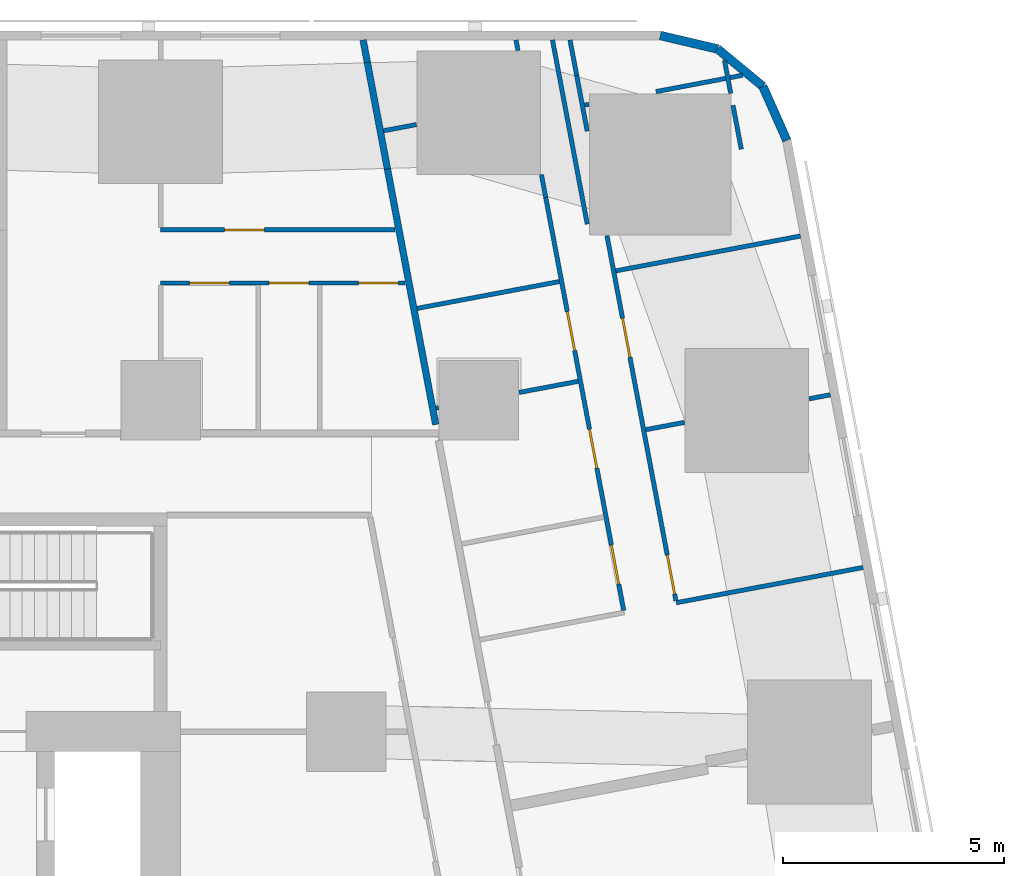
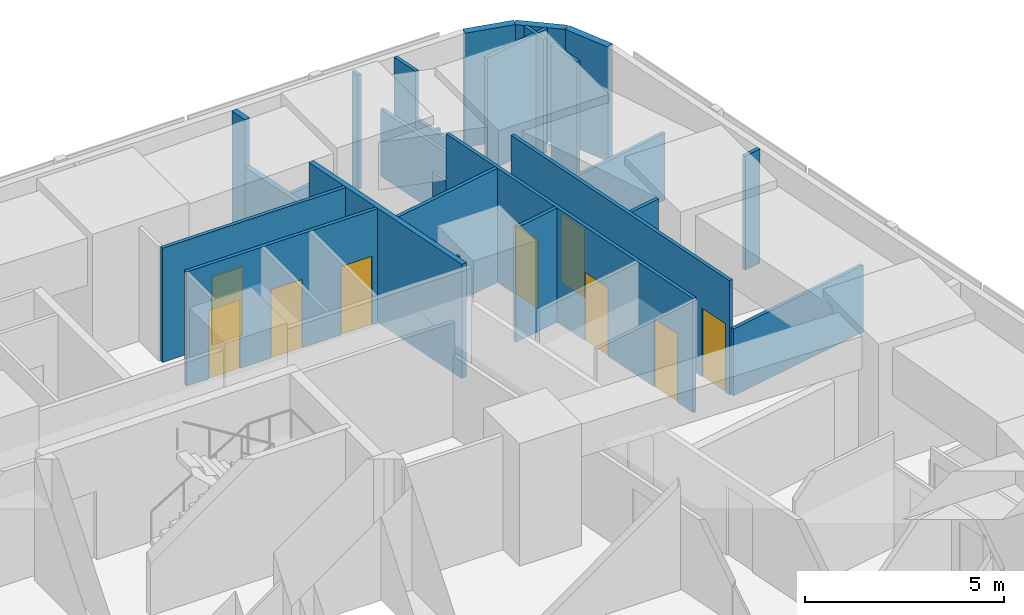
# One storey, part 13 of 18: 27 walls, 9 doors, 9 openings.
"""IFC4 building model written with IfcOpenShell, lengths in metres."""

from ifc_helpers import new_model, si_unit, direction, frame, frame_2d, origin, place, context, subcontext, project, spatial, rectangle, extrude, material, layer, layer_set, type_object, element, fill, save


model = new_model("IFC4")

# Units and contexts
model_context = context("Model", 3, precision=1e-05, world=origin(), true_north=direction((0.0, 1.0)))
body_context = subcontext(model_context, "Body", "Model", "MODEL_VIEW")
ifc_project = project(units=[si_unit("LENGTHUNIT", "METRE"), si_unit("AREAUNIT", "SQUARE_METRE"), si_unit("VOLUMEUNIT", "CUBIC_METRE"), si_unit("PLANEANGLEUNIT", "RADIAN"), si_unit("MASSUNIT", "GRAM", prefix="KILO")], contexts=[model_context])

# Site, building, storey
site_placement = place(None, origin())
site = spatial("IfcSite", under=ifc_project, at=site_placement, CompositionType="ELEMENT")
building_placement = place(site_placement, origin())
building = spatial("IfcBuilding", under=site, at=building_placement, Name="Sheger Commons Tower", CompositionType="ELEMENT")
storey_placement = place(building_placement, frame((0.0, 0.0, 31.25)))
storey = spatial("IfcBuildingStorey", under=building, at=storey_placement, Name="L07", CompositionType="ELEMENT", Elevation=31.25)

# Walls
ifc_material_1 = material(Name="Hollow concrete block masonry, skimmed both sides", Category="masonry")
ifc_layer_1 = layer(ifc_material_1, 0.14990234375)
ifc_layer_set_1 = layer_set([ifc_layer_1], Name="CORRIDOR WALL 150")
wall_type_1 = type_object("IfcWallType", Name="CORRIDOR WALL 150", PredefinedType="SOLIDWALL", material=ifc_layer_set_1)
wall_1_placement = place(storey_placement, frame((33.382080078125, 45.64990234375, 0.0), z_axis=(0.0, 0.0, 1.0), x_axis=(0.185657456326, -0.982614527122, 0.0)))
element("IfcWall", 1, at=wall_1_placement, inside=storey, type_object=wall_type_1, Name="Corridor wall L07", PredefinedType="SOLIDWALL", context=body_context, shape_type="SweptSolid", body=[
    extrude(rectangle(XDim=0.516845703125, YDim=0.14990234375, at=frame_2d((0.25830078125, 0.0))), origin(), (0.0, 0.0, 1.0), 3.5),
])
wall_2_placement = place(storey_placement, frame((33.47802734375, 45.14208984375, 0.0), z_axis=(0.0, 0.0, 1.0), x_axis=(0.185393362436, -0.982664388876, 0.0)))
element("IfcWall", 2, at=wall_2_placement, inside=storey, type_object=wall_type_1, Name="Corridor wall L07", PredefinedType="SOLIDWALL", context=body_context, shape_type="SweptSolid", body=[
    extrude(rectangle(XDim=2.45458984375, YDim=0.14990234375, at=frame_2d((1.227294921875, 0.0))), origin(), (0.0, 0.0, 1.0), 2.050048828125),
])
wall_3_placement = place(storey_placement, frame((33.93310546875, 42.72998046875, 0.0), z_axis=(0.0, 0.0, 1.0), x_axis=(0.185617897238, -0.982622000682, 0.0)))
element("IfcWall", 3, at=wall_3_placement, inside=storey, type_object=wall_type_1, Name="Corridor wall L07", PredefinedType="SOLIDWALL", context=body_context, shape_type="SweptSolid", body=[
    extrude(rectangle(XDim=5.88720703125, YDim=0.14990234375, at=frame_2d((2.943603515625, 0.0))), origin(), (0.0, 0.0, 1.0), 3.5),
])
ifc_material_2 = material(Name="Rendered concrete block masonry, dark grey", Category="masonry")
ifc_layer_2 = layer(ifc_material_2, 0.199951171875)
ifc_layer_set_2 = layer_set([ifc_layer_2], Name="FACADE WALL 200")
wall_type_2 = type_object("IfcWallType", Name="FACADE WALL 200", PredefinedType="SOLIDWALL", material=ifc_layer_set_2)
wall_4_placement = place(storey_placement, frame((42.969970703125, 43.376953125, 0.0), z_axis=(0.0, 0.0, 1.0), x_axis=(-0.406002956633, 0.913871762998, 0.0)))
element("IfcWall", 4, at=wall_4_placement, inside=storey, type_object=wall_type_2, Name="Facade wall L07", PredefinedType="SOLIDWALL", context=body_context, shape_type="SweptSolid", body=[
    extrude(rectangle(XDim=1.33740234375, YDim=0.199951171875, at=frame_2d((0.668701171875, 0.0))), origin(), (0.0, 0.0, 1.0), 3.5),
])
wall_5_placement = place(storey_placement, frame((42.427001953125, 44.59912109375, 0.0), z_axis=(0.0, 0.0, 1.0), x_axis=(-0.770091412544, 0.637933551655, 0.0)))
element("IfcWall", 5, at=wall_5_placement, inside=storey, type_object=wall_type_2, Name="Facade wall L07", PredefinedType="SOLIDWALL", context=body_context, shape_type="SweptSolid", body=[
    extrude(rectangle(XDim=1.324462890625, YDim=0.199951171875, at=frame_2d((0.662109375, 0.0))), origin(), (0.0, 0.0, 1.0), 3.5),
])
wall_6_placement = place(storey_placement, frame((41.406982421875, 45.444091796875, 0.0), z_axis=(0.0, 0.0, 1.0), x_axis=(-0.973453091607, 0.228886606077, 0.0)))
element("IfcWall", 6, at=wall_6_placement, inside=storey, type_object=wall_type_2, Name="Facade wall L07", PredefinedType="SOLIDWALL", context=body_context, shape_type="SweptSolid", body=[
    extrude(rectangle(XDim=1.33642578125, YDim=0.199951171875, at=frame_2d((0.668212890625, 0.0))), origin(), (0.0, 0.0, 1.0), 3.5),
])
ifc_material_3 = material(Name="Gypsum board on steel studs", Category="steel")
ifc_layer_3 = layer(ifc_material_3, 0.10009765625)
ifc_layer_set_3 = layer_set([ifc_layer_3], Name="PARTITION 100")
wall_type_3 = type_object("IfcWallType", Name="PARTITION 100", PredefinedType="PARTITIONING", material=ifc_layer_set_3)
wall_7_placement = place(storey_placement, frame((38.4541015625, 41.48291015625, 0.0), z_axis=(0.0, 0.0, 1.0), x_axis=(-0.185609245326, 0.982623634994, 0.0)))
element("IfcWall", 7, at=wall_7_placement, inside=storey, type_object=wall_type_3, Name="Partition L07", PredefinedType="PARTITIONING", context=body_context, shape_type="SweptSolid", body=[
    extrude(rectangle(XDim=4.24072265625, YDim=0.10009765625, at=frame_2d((2.120361328125, 0.0))), origin(), (0.0, 0.0, 1.0), 2.050048828125),
])
wall_8_placement = place(storey_placement, frame((41.55908203125, 45.18798828125, 0.0), z_axis=(0.0, 0.0, 1.0), x_axis=(0.185063078849, -0.98272664401, 0.0)))
element("IfcWall", 8, at=wall_8_placement, inside=storey, type_object=wall_type_3, Name="Partition L07", PredefinedType="PARTITIONING", context=body_context, shape_type="SweptSolid", body=[
    extrude(rectangle(XDim=0.76123046875, YDim=0.10009765625, at=frame_2d((0.380615234375, 0.0))), origin(), (0.0, 0.0, 1.0), 3.5),
])
wall_9_placement = place(storey_placement, frame((41.7509765625, 44.169921875, 0.0), z_axis=(0.0, 0.0, 1.0), x_axis=(0.186024046654, -0.98254519187, 0.0)))
element("IfcWall", 9, at=wall_9_placement, inside=storey, type_object=wall_type_3, Name="Partition L07", PredefinedType="PARTITIONING", context=body_context, shape_type="SweptSolid", body=[
    extrude(rectangle(XDim=1.010498046875, YDim=0.10009765625, at=frame_2d((0.50537109375, 0.0))), origin(), (0.0, 0.0, 1.0), 3.5),
])
wall_10_placement = place(storey_placement, frame((38.06298828125, 45.64990234375, 0.0), z_axis=(0.0, 0.0, 1.0), x_axis=(0.186109918919, -0.982528929895, 0.0)))
element("IfcWall", 10, at=wall_10_placement, inside=storey, type_object=wall_type_3, Name="Partition L07", PredefinedType="PARTITIONING", context=body_context, shape_type="SweptSolid", body=[
    extrude(rectangle(XDim=0.817138671875, YDim=0.10009765625, at=frame_2d((0.40869140625, 0.0))), origin(), (0.0, 0.0, 1.0), 3.5),
])
wall_11_placement = place(storey_placement, frame((38.215087890625, 44.846923828125, 0.0), z_axis=(0.0, 0.0, 1.0), x_axis=(0.185449486507, -0.982653798626, 0.0)))
element("IfcWall", 11, at=wall_11_placement, inside=storey, type_object=wall_type_3, Name="Partition L07", PredefinedType="PARTITIONING", context=body_context, shape_type="SweptSolid", body=[
    extrude(rectangle(XDim=1.2822265625, YDim=0.10009765625, at=frame_2d((0.64111328125, 0.0))), origin(), (0.0, 0.0, 1.0), 2.050048828125),
])

# Wall, openings, doors
wall_12_placement = place(storey_placement, frame((38.89990234375, 41.219970703125, 0.0), z_axis=(0.0, 0.0, 1.0), x_axis=(0.18556562412, -0.982631873666, 0.0)))
wall_12 = element("IfcWall", 12, at=wall_12_placement, inside=storey, type_object=wall_type_3, Name="Partition L07", PredefinedType="PARTITIONING", context=body_context, shape_type="SweptSolid", body=[
    extrude(rectangle(XDim=8.40185546875, YDim=0.10009765625, at=frame_2d((4.200927734375, 0.0))), origin(), (0.0, 0.0, 1.0), 3.5),
])
opening_1_placement = place(wall_12_placement, frame((7.35205078125, 0.0, 0.0)))
opening_1 = element("IfcOpeningElement", 13, at=opening_1_placement, cuts=wall_12, Name="Opening D2", PredefinedType="OPENING", context=body_context, shape_type="SweptSolid", body=[
    extrude(rectangle(XDim=0.89990234375, YDim=2.10009765625, at=frame_2d((0.449951171875, 1.050048828125))), frame((0.0, 0.06005859375, 0.0), z_axis=(0.0, -1.0, 0.0), x_axis=(1.0, 0.0, 0.0)), (0.0, 0.0, 1.0), 0.1201171875),
])
opening_2_placement = place(wall_12_placement, frame((1.89990234375, 0.0, 0.0)))
opening_2 = element("IfcOpeningElement", 14, at=opening_2_placement, cuts=wall_12, Name="Opening D2", PredefinedType="OPENING", context=body_context, shape_type="SweptSolid", body=[
    extrude(rectangle(XDim=0.89990234375, YDim=2.10009765625, at=frame_2d((0.449951171875, 1.050048828125))), frame((0.0, 0.06005859375, 0.0), z_axis=(0.0, -1.0, 0.0), x_axis=(1.0, 0.0, 0.0)), (0.0, 0.0, 1.0), 0.1201171875),
])
ifc_material_4 = material(Name="Timber door set", Category="wood")
door_type = type_object("IfcDoorType", Name="INTERNAL DOOR 900x2100", OperationType="NOTDEFINED", PredefinedType="DOOR", material=ifc_material_4)
door_1_placement = place(opening_1_placement, origin())
door_1 = element("IfcDoor", 15, at=door_1_placement, inside=storey, type_object=door_type, Name="Main bedroom door", OperationType="SINGLE_SWING_RIGHT", OverallHeight=2.10009765625, OverallWidth=0.89990234375, PredefinedType="DOOR", context=body_context, shape_type="SweptSolid", body=[
    extrude(rectangle(XDim=0.89990234375, YDim=2.10009765625, at=frame_2d((0.449951171875, 1.050048828125))), frame((0.0, 0.02490234375, 0.0), z_axis=(0.0, -1.0, 0.0), x_axis=(1.0, 0.0, 0.0)), (0.0, 0.0, 1.0), 0.050048828125),
])
fill(opening_1, door_1)
door_2_placement = place(opening_2_placement, origin())
door_2 = element("IfcDoor", 16, at=door_2_placement, inside=storey, type_object=door_type, Name="Bedroom 2 door", OperationType="SINGLE_SWING_LEFT", OverallHeight=2.10009765625, OverallWidth=0.89990234375, PredefinedType="DOOR", context=body_context, shape_type="SweptSolid", body=[
    extrude(rectangle(XDim=0.89990234375, YDim=2.10009765625, at=frame_2d((0.449951171875, 1.050048828125))), frame((0.0, 0.02490234375, 0.0), z_axis=(0.0, -1.0, 0.0), x_axis=(1.0, 0.0, 0.0)), (0.0, 0.0, 1.0), 0.050048828125),
])
fill(opening_2, door_2)

# Walls
wall_13_placement = place(storey_placement, frame((36.842041015625, 45.64990234375, 0.0), z_axis=(0.0, 0.0, 1.0), x_axis=(0.183986661451, -0.982928740249, 0.0)))
element("IfcWall", 17, at=wall_13_placement, inside=storey, type_object=wall_type_3, Name="Partition L07", PredefinedType="PARTITIONING", context=body_context, shape_type="SweptSolid", body=[
    extrude(rectangle(XDim=0.244140625, YDim=0.10009765625, at=frame_2d((0.1220703125, 0.0))), origin(), (0.0, 0.0, 1.0), 3.5),
])
wall_14_placement = place(storey_placement, frame((37.4169921875, 42.60205078125, 0.0), z_axis=(0.0, 0.0, 1.0), x_axis=(0.185672001976, -0.982611778721, 0.0)))
element("IfcWall", 18, at=wall_14_placement, inside=storey, type_object=wall_type_3, Name="Partition L07", PredefinedType="PARTITIONING", context=body_context, shape_type="SweptSolid", body=[
    extrude(rectangle(XDim=0.52197265625, YDim=0.10009765625, at=frame_2d((0.260986328125, 0.0))), origin(), (0.0, 0.0, 1.0), 2.050048828125),
])

# Wall, openings, doors
wall_15_placement = place(storey_placement, frame((37.513916015625, 42.089111328125, 0.0), z_axis=(0.0, 0.0, 1.0), x_axis=(0.185543450498, -0.982636060796, 0.0)))
wall_15 = element("IfcWall", 19, at=wall_15_placement, inside=storey, type_object=wall_type_3, Name="Partition L07", PredefinedType="PARTITIONING", context=body_context, shape_type="SweptSolid", body=[
    extrude(rectangle(XDim=9.513427734375, YDim=0.10009765625, at=frame_2d((4.7568359375, 0.0))), origin(), (0.0, 0.0, 1.0), 3.5),
])
opening_3_placement = place(wall_15_placement, frame((8.008056640625, 0.0, 0.0)))
opening_3 = element("IfcOpeningElement", 20, at=opening_3_placement, cuts=wall_15, Name="Opening D2", PredefinedType="OPENING", context=body_context, shape_type="SweptSolid", body=[
    extrude(rectangle(XDim=0.89990234375, YDim=2.10009765625, at=frame_2d((0.449951171875, 1.050048828125))), frame((0.0, 0.06005859375, 0.0), z_axis=(0.0, -1.0, 0.0), x_axis=(1.0, 0.0, 0.0)), (0.0, 0.0, 1.0), 0.1201171875),
])
opening_4_placement = place(wall_15_placement, frame((2.6298828125, 0.0, 0.0)))
opening_4 = element("IfcOpeningElement", 21, at=opening_4_placement, cuts=wall_15, Name="Opening D2", PredefinedType="OPENING", context=body_context, shape_type="SweptSolid", body=[
    extrude(rectangle(XDim=0.89990234375, YDim=2.10009765625, at=frame_2d((0.449951171875, 1.050048828125))), frame((0.0, 0.06005859375, 0.0), z_axis=(0.0, -1.0, 0.0), x_axis=(1.0, 0.0, 0.0)), (0.0, 0.0, 1.0), 0.1201171875),
])
opening_5_placement = place(wall_15_placement, frame((5.341064453125, 0.0, 0.0)))
opening_5 = element("IfcOpeningElement", 22, at=opening_5_placement, cuts=wall_15, Name="Opening D2", PredefinedType="OPENING", context=body_context, shape_type="SweptSolid", body=[
    extrude(rectangle(XDim=0.89990234375, YDim=2.10009765625, at=frame_2d((0.449951171875, 1.050048828125))), frame((0.0, 0.06005859375, 0.0), z_axis=(0.0, -1.0, 0.0), x_axis=(1.0, 0.0, 0.0)), (0.0, 0.0, 1.0), 0.1201171875),
])
door_3_placement = place(opening_3_placement, origin())
door_3 = element("IfcDoor", 23, at=door_3_placement, inside=storey, type_object=door_type, Name="Bathroom door", OperationType="SINGLE_SWING_LEFT", OverallHeight=2.10009765625, OverallWidth=0.89990234375, PredefinedType="DOOR", context=body_context, shape_type="SweptSolid", body=[
    extrude(rectangle(XDim=0.89990234375, YDim=2.10009765625, at=frame_2d((0.449951171875, 1.050048828125))), frame((0.0, 0.02490234375, 0.0), z_axis=(0.0, -1.0, 0.0), x_axis=(1.0, 0.0, 0.0)), (0.0, 0.0, 1.0), 0.050048828125),
])
fill(opening_3, door_3)
door_4_placement = place(opening_4_placement, origin())
door_4 = element("IfcDoor", 24, at=door_4_placement, inside=storey, type_object=door_type, Name="Laundry room door", OperationType="SINGLE_SWING_LEFT", OverallHeight=2.10009765625, OverallWidth=0.89990234375, PredefinedType="DOOR", context=body_context, shape_type="SweptSolid", body=[
    extrude(rectangle(XDim=0.89990234375, YDim=2.10009765625, at=frame_2d((0.449951171875, 1.050048828125))), frame((0.0, 0.02490234375, 0.0), z_axis=(0.0, -1.0, 0.0), x_axis=(1.0, 0.0, 0.0)), (0.0, 0.0, 1.0), 0.050048828125),
])
fill(opening_4, door_4)
door_5_placement = place(opening_5_placement, origin())
door_5 = element("IfcDoor", 25, at=door_5_placement, inside=storey, type_object=door_type, Name="Store door", OperationType="SINGLE_SWING_LEFT", OverallHeight=2.10009765625, OverallWidth=0.89990234375, PredefinedType="DOOR", context=body_context, shape_type="SweptSolid", body=[
    extrude(rectangle(XDim=0.89990234375, YDim=2.10009765625, at=frame_2d((0.449951171875, 1.050048828125))), frame((0.0, 0.02490234375, 0.0), z_axis=(0.0, -1.0, 0.0), x_axis=(1.0, 0.0, 0.0)), (0.0, 0.0, 1.0), 0.050048828125),
])
fill(opening_5, door_5)

# Walls
wall_16_placement = place(storey_placement, frame((41.968017578125, 44.85009765625, 0.0), z_axis=(0.0, 0.0, 1.0), x_axis=(-0.982543651732, -0.186032181195, 0.0)))
element("IfcWall", 26, at=wall_16_placement, inside=storey, type_object=wall_type_3, Name="Partition L07", PredefinedType="PARTITIONING", context=body_context, shape_type="SweptSolid", body=[
    extrude(rectangle(XDim=1.994873046875, YDim=0.10009765625, at=frame_2d((0.99755859375, 0.0))), origin(), (0.0, 0.0, 1.0), 3.5),
])
wall_17_placement = place(storey_placement, frame((38.491943359375, 44.193115234375, 0.0), z_axis=(0.0, 0.0, 1.0), x_axis=(-0.981954528773, -0.189117168504, 0.0)))
element("IfcWall", 27, at=wall_17_placement, inside=storey, type_object=wall_type_3, Name="Partition L07", PredefinedType="PARTITIONING", context=body_context, shape_type="SweptSolid", body=[
    extrude(rectangle(XDim=0.1005859375, YDim=0.10009765625, at=frame_2d((0.05029296875, 0.0))), origin(), (0.0, 0.0, 1.0), 2.050048828125),
])
wall_18_placement = place(storey_placement, frame((43.277099609375, 41.2119140625, 0.0), z_axis=(0.0, 0.0, 1.0), x_axis=(-0.982665405803, -0.185387972203, 0.0)))
element("IfcWall", 28, at=wall_18_placement, inside=storey, type_object=wall_type_3, Name="Partition L07", PredefinedType="PARTITIONING", context=body_context, shape_type="SweptSolid", body=[
    extrude(rectangle(XDim=4.249755859375, YDim=0.10009765625, at=frame_2d((2.125, 0.0))), origin(), (0.0, 0.0, 1.0), 2.050048828125),
])
wall_19_placement = place(storey_placement, frame((43.955078125, 37.6201171875, 0.0), z_axis=(0.0, 0.0, 1.0), x_axis=(-0.982543152073, -0.186034820164, 0.0)))
element("IfcWall", 29, at=wall_19_placement, inside=storey, type_object=wall_type_3, Name="Partition L07", PredefinedType="PARTITIONING", context=body_context, shape_type="SweptSolid", body=[
    extrude(rectangle(XDim=0.489501953125, YDim=0.10009765625, at=frame_2d((0.24462890625, 0.0))), origin(), (0.0, 0.0, 1.0), 3.5),
])
wall_20_placement = place(storey_placement, frame((40.654052734375, 36.99609375, 0.0), z_axis=(0.0, 0.0, 1.0), x_axis=(-0.982672962335, -0.185347913655, 0.0)))
element("IfcWall", 30, at=wall_20_placement, inside=storey, type_object=wall_type_3, Name="Partition L07", PredefinedType="PARTITIONING", context=body_context, shape_type="SweptSolid", body=[
    extrude(rectangle(XDim=0.890380859375, YDim=0.10009765625, at=frame_2d((0.4453125, 0.0))), origin(), (0.0, 0.0, 1.0), 3.5),
])
wall_21_placement = place(storey_placement, frame((44.693115234375, 33.712890625, 0.0), z_axis=(0.0, 0.0, 1.0), x_axis=(-0.982633535512, -0.185556823879, 0.0)))
element("IfcWall", 31, at=wall_21_placement, inside=storey, type_object=wall_type_3, Name="Partition L07", PredefinedType="PARTITIONING", context=body_context, shape_type="SweptSolid", body=[
    extrude(rectangle(XDim=4.2998046875, YDim=0.10009765625, at=frame_2d((2.14990234375, 0.0))), origin(), (0.0, 0.0, 1.0), 2.050048828125),
])
wall_22_placement = place(storey_placement, frame((34.590087890625, 43.73388671875, 0.0), z_axis=(0.0, 0.0, 1.0), x_axis=(-0.98274036184, -0.184990219229, 0.0)))
element("IfcWall", 32, at=wall_22_placement, inside=storey, type_object=wall_type_3, Name="Partition L07", PredefinedType="PARTITIONING", context=body_context, shape_type="SweptSolid", body=[
    extrude(rectangle(XDim=0.756103515625, YDim=0.10009765625, at=frame_2d((0.3779296875, 0.0))), origin(), (0.0, 0.0, 1.0), 2.050048828125),
])
wall_23_placement = place(storey_placement, frame((37.822998046875, 40.181884765625, 0.0), z_axis=(0.0, 0.0, 1.0), x_axis=(-0.982664729897, -0.18539155487, 0.0)))
element("IfcWall", 33, at=wall_23_placement, inside=storey, type_object=wall_type_3, Name="Partition L07", PredefinedType="PARTITIONING", context=body_context, shape_type="SweptSolid", body=[
    extrude(rectangle(XDim=3.273681640625, YDim=0.10009765625, at=frame_2d((1.63671875, 0.0))), origin(), (0.0, 0.0, 1.0), 3.5),
])
wall_24_placement = place(storey_placement, frame((38.25, 37.925048828125, 0.0), z_axis=(0.0, 0.0, 1.0), x_axis=(-0.982650574676, -0.185466568658, 0.0)))
element("IfcWall", 34, at=wall_24_placement, inside=storey, type_object=wall_type_3, Name="Partition L07", PredefinedType="PARTITIONING", context=body_context, shape_type="SweptSolid", body=[
    extrude(rectangle(XDim=1.36376953125, YDim=0.10009765625, at=frame_2d((0.681884765625, 0.0))), origin(), (0.0, 0.0, 1.0), 3.5),
])
wall_25_placement = place(storey_placement, frame((35.090087890625, 37.327880859375, 0.0), z_axis=(0.0, 0.0, 1.0), x_axis=(-0.982590620415, -0.185783940835, 0.0)))
element("IfcWall", 35, at=wall_25_placement, inside=storey, type_object=wall_type_3, Name="Partition L07", PredefinedType="PARTITIONING", context=body_context, shape_type="SweptSolid", body=[
    extrude(rectangle(XDim=0.05908203125, YDim=0.10009765625, at=frame_2d((0.029541015625, 0.0))), origin(), (0.0, 0.0, 1.0), 3.5),
])

# Wall, opening, door
wall_26_placement = place(storey_placement, frame((28.800048828125, 41.35009765625, 0.0), z_axis=(0.0, 0.0, 1.0), x_axis=(1.0, 0.0, 0.0)))
wall_26 = element("IfcWall", 36, at=wall_26_placement, inside=storey, type_object=wall_type_3, Name="Partition L07", PredefinedType="PARTITIONING", context=body_context, shape_type="SweptSolid", body=[
    extrude(rectangle(XDim=5.307861328125, YDim=0.10009765625, at=frame_2d((2.65380859375, 0.0))), origin(), (0.0, 0.0, 1.0), 3.5),
])
opening_6_placement = place(wall_26_placement, frame((1.449951171875, 0.0, 0.0)))
opening_6 = element("IfcOpeningElement", 37, at=opening_6_placement, cuts=wall_26, Name="Opening D2", PredefinedType="OPENING", context=body_context, shape_type="SweptSolid", body=[
    extrude(rectangle(XDim=0.89990234375, YDim=2.10009765625, at=frame_2d((0.449951171875, 1.050048828125))), frame((0.0, 0.06005859375, 0.0), z_axis=(0.0, -1.0, 0.0), x_axis=(1.0, 0.0, 0.0)), (0.0, 0.0, 1.0), 0.1201171875),
])
door_6_placement = place(opening_6_placement, origin())
door_6 = element("IfcDoor", 38, at=door_6_placement, inside=storey, type_object=door_type, Name="Main bedroom door", OperationType="SINGLE_SWING_RIGHT", OverallHeight=2.10009765625, OverallWidth=0.89990234375, PredefinedType="DOOR", context=body_context, shape_type="SweptSolid", body=[
    extrude(rectangle(XDim=0.89990234375, YDim=2.10009765625, at=frame_2d((0.449951171875, 1.050048828125))), frame((0.0, 0.02490234375, 0.0), z_axis=(0.0, -1.0, 0.0), x_axis=(1.0, 0.0, 0.0)), (0.0, 0.0, 1.0), 0.050048828125),
])
fill(opening_6, door_6)

# Wall, openings, doors
wall_27_placement = place(storey_placement, frame((28.800048828125, 40.14990234375, 0.0), z_axis=(0.0, 0.0, 1.0), x_axis=(1.0, 0.0, 0.0)))
wall_27 = element("IfcWall", 39, at=wall_27_placement, inside=storey, type_object=wall_type_3, Name="Partition L07", PredefinedType="PARTITIONING", context=body_context, shape_type="SweptSolid", body=[
    extrude(rectangle(XDim=5.534912109375, YDim=0.10009765625, at=frame_2d((2.767578125, 0.0))), origin(), (0.0, 0.0, 1.0), 3.5),
])
opening_7_placement = place(wall_27_placement, frame((0.655029296875, 0.0, 0.0)))
opening_7 = element("IfcOpeningElement", 40, at=opening_7_placement, cuts=wall_27, Name="Opening D2", PredefinedType="OPENING", context=body_context, shape_type="SweptSolid", body=[
    extrude(rectangle(XDim=0.89990234375, YDim=2.10009765625, at=frame_2d((0.449951171875, 1.050048828125))), frame((0.0, 0.06005859375, 0.0), z_axis=(0.0, -1.0, 0.0), x_axis=(1.0, 0.0, 0.0)), (0.0, 0.0, 1.0), 0.1201171875),
])
opening_8_placement = place(wall_27_placement, frame((4.48095703125, 0.0, 0.0)))
opening_8 = element("IfcOpeningElement", 41, at=opening_8_placement, cuts=wall_27, Name="Opening D2", PredefinedType="OPENING", context=body_context, shape_type="SweptSolid", body=[
    extrude(rectangle(XDim=0.89990234375, YDim=2.10009765625, at=frame_2d((0.449951171875, 1.050048828125))), frame((0.0, 0.06005859375, 0.0), z_axis=(0.0, -1.0, 0.0), x_axis=(1.0, 0.0, 0.0)), (0.0, 0.0, 1.0), 0.1201171875),
])
opening_9_placement = place(wall_27_placement, frame((2.455078125, 0.0, 0.0)))
opening_9 = element("IfcOpeningElement", 42, at=opening_9_placement, cuts=wall_27, Name="Opening D2", PredefinedType="OPENING", context=body_context, shape_type="SweptSolid", body=[
    extrude(rectangle(XDim=0.89990234375, YDim=2.10009765625, at=frame_2d((0.449951171875, 1.050048828125))), frame((0.0, 0.06005859375, 0.0), z_axis=(0.0, -1.0, 0.0), x_axis=(1.0, 0.0, 0.0)), (0.0, 0.0, 1.0), 0.1201171875),
])
door_7_placement = place(opening_7_placement, origin())
door_7 = element("IfcDoor", 43, at=door_7_placement, inside=storey, type_object=door_type, Name="Bathroom door", OperationType="SINGLE_SWING_RIGHT", OverallHeight=2.10009765625, OverallWidth=0.89990234375, PredefinedType="DOOR", context=body_context, shape_type="SweptSolid", body=[
    extrude(rectangle(XDim=0.89990234375, YDim=2.10009765625, at=frame_2d((0.449951171875, 1.050048828125))), frame((0.0, 0.02490234375, 0.0), z_axis=(0.0, -1.0, 0.0), x_axis=(1.0, 0.0, 0.0)), (0.0, 0.0, 1.0), 0.050048828125),
])
fill(opening_7, door_7)
door_8_placement = place(opening_8_placement, origin())
door_8 = element("IfcDoor", 44, at=door_8_placement, inside=storey, type_object=door_type, Name="Laundry room door", OperationType="SINGLE_SWING_LEFT", OverallHeight=2.10009765625, OverallWidth=0.89990234375, PredefinedType="DOOR", context=body_context, shape_type="SweptSolid", body=[
    extrude(rectangle(XDim=0.89990234375, YDim=2.10009765625, at=frame_2d((0.449951171875, 1.050048828125))), frame((0.0, 0.02490234375, 0.0), z_axis=(0.0, -1.0, 0.0), x_axis=(1.0, 0.0, 0.0)), (0.0, 0.0, 1.0), 0.050048828125),
])
fill(opening_8, door_8)
door_9_placement = place(opening_9_placement, origin())
door_9 = element("IfcDoor", 45, at=door_9_placement, inside=storey, type_object=door_type, Name="Store door", OperationType="SINGLE_SWING_RIGHT", OverallHeight=2.10009765625, OverallWidth=0.89990234375, PredefinedType="DOOR", context=body_context, shape_type="SweptSolid", body=[
    extrude(rectangle(XDim=0.89990234375, YDim=2.10009765625, at=frame_2d((0.449951171875, 1.050048828125))), frame((0.0, 0.02490234375, 0.0), z_axis=(0.0, -1.0, 0.0), x_axis=(1.0, 0.0, 0.0)), (0.0, 0.0, 1.0), 0.050048828125),
])
fill(opening_9, door_9)

save(model, "model.ifc")
